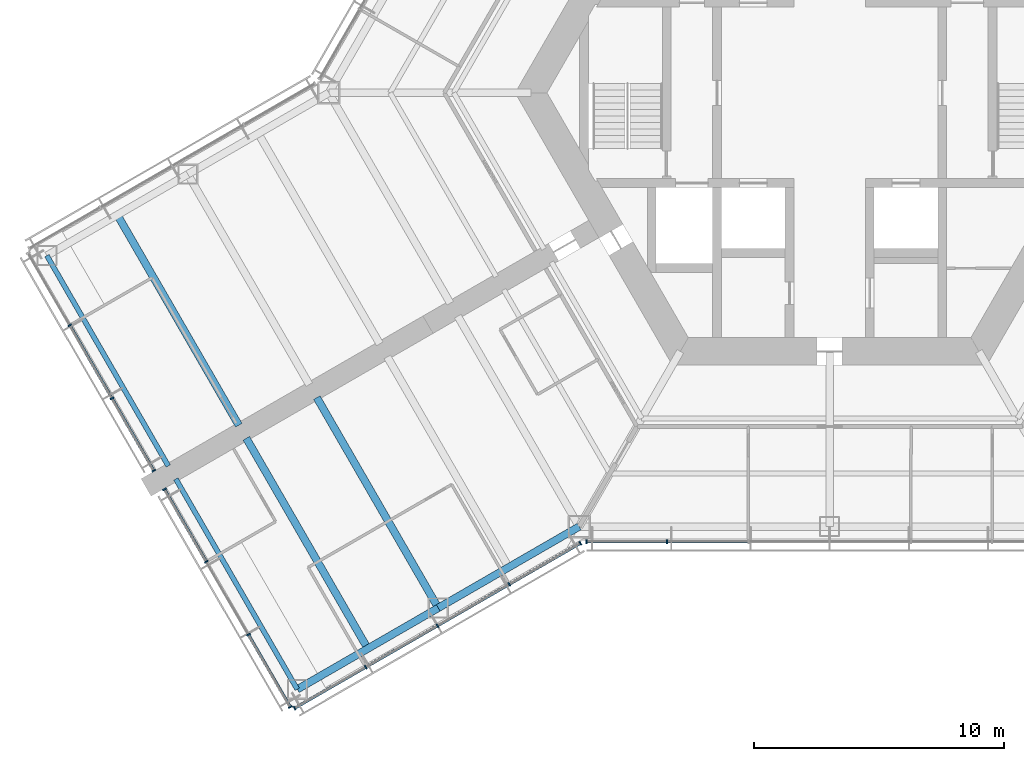
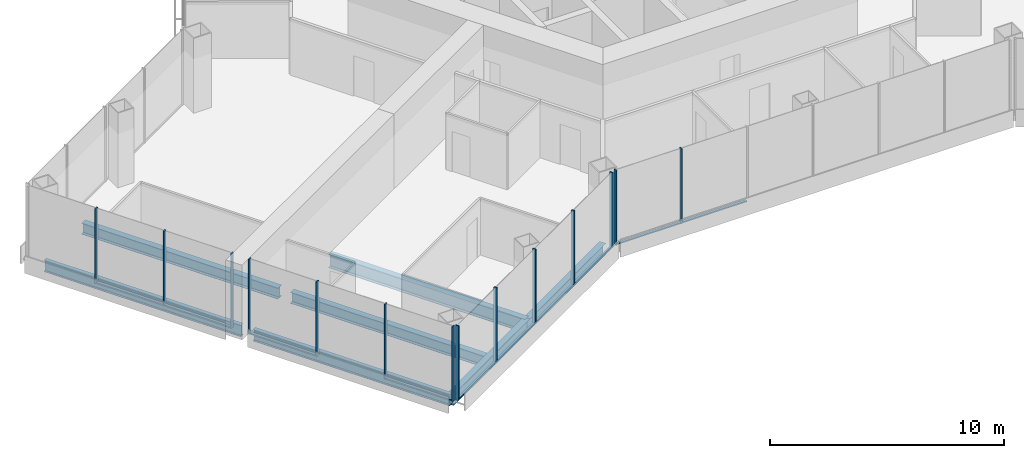
# One storey, part 2 of 19: 24 members, 7 beams, 4 elements without a shape of their own.
"""IFC4 building model written with IfcOpenShell, lengths in metres."""

import ifcopenshell
import ifcopenshell.guid

model = None  # the IFC model being written
_history = None  # IfcOwnerHistory: only IFC2X3 demands one
_inside = {}  # id of a spatial element -> (the spatial element, [elements in it])
_under = {}  # id of a project, library or spatial element -> (it, [spatial elements below it])
_declared = {}  # id of a project -> (the project, [libraries it declares])
_typed = {}  # id of a type object -> (the type object, [elements of that type])
_made_of = {}  # id of a material, layer set ... -> (it, [elements and type objects made of it])


def new_model(schema):
    """Start an empty IFC model of exactly this schema.

    Asked for "IFC4X3", IfcOpenShell would pick the latest addendum, in which some entities
    have other attributes; the version numbers below select the first issue.
    IFC2X3 requires an IfcOwnerHistory on every rooted entity: one is made here for all.
    """
    global model, _history
    if schema == "IFC4X3":
        model = ifcopenshell.file(schema_version=(4, 3, 0, 0))
    else:
        model = ifcopenshell.file(schema=schema)
    _inside.clear()
    _under.clear()
    _declared.clear()
    _typed.clear()
    _made_of.clear()
    _history = None
    if model.schema == "IFC2X3":
        org = make("IfcOrganization", Name="unknown")
        user = make(
            "IfcPersonAndOrganization",
            ThePerson=make("IfcPerson", FamilyName="unknown"),
            TheOrganization=org,
        )
        app = make(
            "IfcApplication",
            ApplicationDeveloper=org,
            Version="unknown",
            ApplicationFullName="unknown",
            ApplicationIdentifier="unknown",
        )
        _history = make(
            "IfcOwnerHistory",
            OwningUser=user,
            OwningApplication=app,
            ChangeAction="ADDED",
            CreationDate=0,
        )
    return model


def make(cls, **values):
    """One entity of the class cls with the attributes given. An attribute that is None is left unset."""
    return model.create_entity(
        cls, **{name: value for name, value in values.items() if value is not None}
    )


def rooted(cls, **values):
    """An entity with a GlobalId (a new one), such as an element, a storey or a relation."""
    return make(cls, GlobalId=ifcopenshell.guid.new(), OwnerHistory=_history, **values)


def si_unit(unit_type, name, prefix=None):
    """IfcSIUnit, for example si_unit("LENGTHUNIT", "METRE", prefix="MILLI")."""
    return make("IfcSIUnit", UnitType=unit_type, Prefix=prefix, Name=name)


def assignment(units):
    """IfcUnitAssignment: the units of a project."""
    return None if units is None else make("IfcUnitAssignment", Units=units)


def point(xyz):
    """IfcCartesianPoint."""
    return None if xyz is None else make("IfcCartesianPoint", Coordinates=xyz)


def direction(xyz):
    """IfcDirection."""
    return None if xyz is None else make("IfcDirection", DirectionRatios=xyz)


def frame(location, z_axis=None, x_axis=None):
    """IfcAxis2Placement3D, a coordinate frame: its origin and axes. An axis left out is left unset."""
    return make(
        "IfcAxis2Placement3D",
        Location=point(location),
        Axis=direction(z_axis),
        RefDirection=direction(x_axis),
    )


def frame_2d(location, x_axis=None):
    """IfcAxis2Placement2D, a coordinate frame in the plane: its origin and x axis."""
    return make(
        "IfcAxis2Placement2D", Location=point(location), RefDirection=direction(x_axis)
    )


def origin():
    """The frame at (0, 0, 0) with its axes left unset."""
    return frame((0.0, 0.0, 0.0))


def origin_2d():
    """The frame at (0, 0) in the plane with its x axis left unset."""
    return frame_2d((0.0, 0.0))


def place(relative_to, where):
    """IfcLocalPlacement: puts the frame where relative to a parent placement (None: the world)."""
    return make(
        "IfcLocalPlacement", PlacementRelTo=relative_to, RelativePlacement=where
    )


def context(
    kind, dimensions, precision=None, world=None, true_north=None, identifier=None
):
    """IfcGeometricRepresentationContext, for example the 3D "Model" context."""
    return make(
        "IfcGeometricRepresentationContext",
        ContextIdentifier=identifier,
        ContextType=kind,
        CoordinateSpaceDimension=dimensions,
        Precision=precision,
        WorldCoordinateSystem=world,
        TrueNorth=true_north,
    )


def subcontext(parent, identifier, kind, view, scale=None):
    """IfcGeometricRepresentationSubContext, for example "Body" below "Model"."""
    return make(
        "IfcGeometricRepresentationSubContext",
        ContextIdentifier=identifier,
        ContextType=kind,
        ParentContext=parent,
        TargetScale=scale,
        TargetView=view,
    )


def project(units=None, contexts=None):
    """IfcProject with its units and contexts."""
    return rooted(
        "IfcProject",
        Name="project",
        RepresentationContexts=contexts,
        UnitsInContext=assignment(units),
    )


def spatial(cls, under=None, at=None, **own):
    """A site, building, storey or space (cls), placed at a placement, below another one or the project."""
    s = rooted(cls, ObjectPlacement=at, **own)
    if under is not None:
        _under.setdefault(under.id(), (under, []))[1].append(s)
    return s


def profile(cls, at=None, kind="AREA", **sizes):
    """A parametric profile (cls). Its sizes go by their IFC names, for example OverallWidth=200.0."""
    return make(cls, ProfileType=kind, Position=at, **sizes)


def rectangle(**sizes):
    """IfcRectangleProfileDef."""
    return profile("IfcRectangleProfileDef", **sizes)


def i_section(**sizes):
    """IfcIShapeProfileDef."""
    return profile("IfcIShapeProfileDef", **sizes)


def extrude(swept, where, along, depth):
    """IfcExtrudedAreaSolid: the profile swept, set in the frame where, extruded along a direction by depth."""
    return make(
        "IfcExtrudedAreaSolid",
        SweptArea=swept,
        Position=where,
        ExtrudedDirection=direction(along),
        Depth=depth,
    )


def shape(context_of_items, identifier, shape_type, items):
    """IfcShapeRepresentation: the items that make up one representation, for example the "Body"."""
    return make(
        "IfcShapeRepresentation",
        ContextOfItems=context_of_items,
        RepresentationIdentifier=identifier,
        RepresentationType=shape_type,
        Items=items,
    )


def material(Name=None, Category=None):
    """IfcMaterial."""
    return make("IfcMaterial", Name=Name, Category=Category)


def material_profile(
    of_material, cross_section, Name=None, Category=None, Priority=None
):
    """IfcMaterialProfile: a cross section and its material."""
    return make(
        "IfcMaterialProfile",
        Name=Name,
        Material=of_material,
        Profile=cross_section,
        Priority=Priority,
        Category=Category,
    )


def profile_set(profiles, Name=None, composite=None):
    """IfcMaterialProfileSet."""
    return make(
        "IfcMaterialProfileSet",
        Name=Name,
        MaterialProfiles=profiles,
        CompositeProfile=composite,
    )


def made_of(thing, what):
    """Note that an element or type object is made of a material, layer set ...; save() writes the relation."""
    if what is not None:
        _made_of.setdefault(what.id(), (what, []))[1].append(thing)
    return thing


def type_object(cls, material=None, **own):
    """A type object (cls), such as IfcWallType, which elements share."""
    return made_of(rooted(cls, **own), material)


def element(
    cls,
    number,
    at=None,
    inside=None,
    cuts=None,
    type_object=None,
    material=None,
    context=None,
    identifier="Body",
    shape_type=None,
    held_by="IfcProductDefinitionShape",
    body=None,
    shapes=None,
    **own,
):
    """One element of the class cls, such as IfcWall. Its Tag is "e" and its number.

    at: its placement. inside: the storey or other place that contains it. cuts: it is an
    opening in that element (IfcRelVoidsElement). A single representation is given by context,
    identifier, shape_type and body (its items); several are given by shapes. held_by: the class
    of the entity that holds the representations. save() writes the other relations.
    """
    e = rooted(cls, Tag="e%d" % number, ObjectPlacement=at, **own)
    if body is not None:
        shapes = [shape(context, identifier, shape_type, body)]
    if shapes is not None:
        e.Representation = make(held_by, Representations=shapes)
    if inside is not None:
        _inside.setdefault(inside.id(), (inside, []))[1].append(e)
    if cuts is not None:
        rooted(
            "IfcRelVoidsElement", RelatingBuildingElement=cuts, RelatedOpeningElement=e
        )
    if type_object is not None:
        _typed.setdefault(type_object.id(), (type_object, []))[1].append(e)
    return made_of(e, material)


def aggregate(whole, parts):
    """IfcRelAggregates: a whole, such as a stair, and the parts it consists of."""
    return rooted("IfcRelAggregates", RelatingObject=whole, RelatedObjects=parts)


def save(model, path):
    """Write the relations noted so far, then the file.

    IfcRelAggregates (storeys below a building ...), IfcRelContainedInSpatialStructure (elements
    in a storey), IfcRelDefinesByType, IfcRelAssociatesMaterial and IfcRelDeclares: one each for
    every whole, place, type object, material and project.
    """
    for whole, parts in _under.values():
        aggregate(whole, parts)
    for where, things in _inside.values():
        rooted(
            "IfcRelContainedInSpatialStructure",
            RelatedElements=things,
            RelatingStructure=where,
        )
    for kind, things in _typed.values():
        rooted("IfcRelDefinesByType", RelatedObjects=things, RelatingType=kind)
    for what, things in _made_of.values():
        rooted("IfcRelAssociatesMaterial", RelatedObjects=things, RelatingMaterial=what)
    for by, libraries in _declared.values():
        rooted("IfcRelDeclares", RelatingContext=by, RelatedDefinitions=libraries)
    model.write(path)


model = new_model("IFC4")

# Units and contexts
model_context = context("Model", 3, precision=1e-05, world=origin(), true_north=direction((0.0, 1.0)))
body_context = subcontext(model_context, "Body", "Model", "MODEL_VIEW")
ifc_project = project(units=[si_unit("LENGTHUNIT", "METRE"), si_unit("AREAUNIT", "SQUARE_METRE"), si_unit("VOLUMEUNIT", "CUBIC_METRE"), si_unit("PLANEANGLEUNIT", "RADIAN"), si_unit("MASSUNIT", "GRAM", prefix="KILO")], contexts=[model_context])

# Site, building, storey
site_placement = place(None, origin())
site = spatial("IfcSite", under=ifc_project, at=site_placement, CompositionType="ELEMENT")
building_placement = place(site_placement, origin())
building = spatial("IfcBuilding", under=site, at=building_placement, Name="Kasaneha Research Tower", CompositionType="ELEMENT")
storey_placement = place(building_placement, frame((0.0, 0.0, 84.60009765625)))
storey = spatial("IfcBuildingStorey", under=building, at=storey_placement, Name="L21", CompositionType="ELEMENT", Elevation=84.60009765625)

# Beams
ifc_material_1 = material(Name="Steel SN490B", Category="steel")
ifc_material_profile_1 = material_profile(ifc_material_1, i_section(OverallWidth=0.300048828125, OverallDepth=0.58203125, WebThickness=0.011962890625, FlangeThickness=0.01708984375, FilletRadius=0.012939453125, at=origin_2d()), Name="H-582x300x12x17")
ifc_profile_set_1 = profile_set([ifc_material_profile_1], Name="Steel SN490B")
beam_type_1 = type_object("IfcBeamType", Name="B2-3 secondary beam H-582x300x12x17", PredefinedType="JOIST", material=ifc_profile_set_1)
for number, where, z_axis, x_axis, name in (
    (1, (-28.44384765625, -4.875, -0.441162109375), (0.500010041276, -0.866019606374, 0.0), (0.866019606374, 0.500010041276, 0.0), "Secondary beam WBBP2 L21"),
    (2, (-18.44384765625, -22.195556640625, -0.441162109375), (-0.499991164321, 0.866030505006, 0.0), (-0.866030505006, -0.499991164321, 0.0), "Secondary beam WBBN2 L21"),
):
    element("IfcBeam", number, at=place(storey_placement, frame(where, z_axis=z_axis, x_axis=x_axis)), inside=storey, type_object=beam_type_1, Name=name, PredefinedType="JOIST", context=body_context, shape_type="SweptSolid", body=[
        extrude(i_section(OverallWidth=0.300048828125, OverallDepth=0.58203125, WebThickness=0.011962890625, FlangeThickness=0.01708984375, FilletRadius=0.012939453125, at=origin_2d()), origin(), (0.0, 0.0, 1.0), 9.699951171875),
    ])

# Curtain wall, members
ifc_material_2 = material(Name="Glass and aluminium", Category="aluminium")
curtain_wall_type = type_object("IfcCurtainWallType", Name="Low-rise office curtain wall", PredefinedType="USERDEFINED", material=ifc_material_2)
curtain_wall_1_placement = place(storey_placement, origin())
curtain_wall_1 = element("IfcCurtainWall", 3, at=curtain_wall_1_placement, inside=storey, type_object=curtain_wall_type, Name="CW-O1 L21 run 01a", ObjectType="UNITISED CURTAIN WALL", PredefinedType="USERDEFINED")
ifc_material_3 = material(Name="Aluminium 6063-T6", Category="aluminium")
ifc_material_profile_2 = material_profile(ifc_material_3, rectangle(XDim=0.06005859375, YDim=0.159912109375, at=origin_2d()), Name="CW-O1 mullion 60x160")
ifc_profile_set_2 = profile_set([ifc_material_profile_2], Name="Aluminium 6063-T6")
member_type_1 = type_object("IfcMemberType", Name="CW-O1 mullion", PredefinedType="MULLION", material=ifc_profile_set_2)
member_1_placement = place(storey_placement, frame((-21.365478515625, -24.5751953125, 0.0), z_axis=(0.0, 0.0, 1.0), x_axis=(0.866025411464, 0.499999986699, 0.0)))
member_1 = element("IfcMember", 4, at=member_1_placement, type_object=member_type_1, Name="CW-O1 mullion 1", PredefinedType="MULLION", context=body_context, shape_type="SweptSolid", body=[
    extrude(rectangle(XDim=0.06005859375, YDim=0.159912109375, at=origin_2d()), origin(), (0.0, 0.0, 1.0), 3.89990234375),
])
member_2_placement = place(storey_placement, frame((-18.52490234375, -22.935302734375, 0.0), z_axis=(0.0, 0.0, 1.0), x_axis=(0.866025411464, 0.499999986699, 0.0)))
member_2 = element("IfcMember", 5, at=member_2_placement, type_object=member_type_1, Name="CW-O1 mullion 2", PredefinedType="MULLION", context=body_context, shape_type="SweptSolid", body=[
    extrude(rectangle(XDim=0.06005859375, YDim=0.159912109375, at=origin_2d()), origin(), (0.0, 0.0, 1.0), 3.89990234375),
])
member_3_placement = place(storey_placement, frame((-15.65869140625, -21.2802734375, 0.0), z_axis=(0.0, 0.0, 1.0), x_axis=(0.866025411464, 0.499999986699, 0.0)))
member_3 = element("IfcMember", 6, at=member_3_placement, type_object=member_type_1, Name="CW-O1 mullion 3", PredefinedType="MULLION", context=body_context, shape_type="SweptSolid", body=[
    extrude(rectangle(XDim=0.06005859375, YDim=0.159912109375, at=origin_2d()), origin(), (0.0, 0.0, 1.0), 3.89990234375),
])
member_4_placement = place(storey_placement, frame((-12.792236328125, -19.62548828125, 0.0), z_axis=(0.0, 0.0, 1.0), x_axis=(0.866025411464, 0.499999986699, 0.0)))
member_4 = element("IfcMember", 7, at=member_4_placement, type_object=member_type_1, Name="CW-O1 mullion 4", PredefinedType="MULLION", context=body_context, shape_type="SweptSolid", body=[
    extrude(rectangle(XDim=0.06005859375, YDim=0.159912109375, at=origin_2d()), origin(), (0.0, 0.0, 1.0), 3.89990234375),
])
member_5_placement = place(storey_placement, frame((-9.951904296875, -17.985595703125, 0.0), z_axis=(0.0, 0.0, 1.0), x_axis=(0.866025411464, 0.499999986699, 0.0)))
member_5 = element("IfcMember", 8, at=member_5_placement, type_object=member_type_1, Name="CW-O1 mullion 5", PredefinedType="MULLION", context=body_context, shape_type="SweptSolid", body=[
    extrude(rectangle(XDim=0.06005859375, YDim=0.159912109375, at=origin_2d()), origin(), (0.0, 0.0, 1.0), 3.89990234375),
])

curtain_wall_2_placement = place(storey_placement, origin())
curtain_wall_2 = element("IfcCurtainWall", 9, at=curtain_wall_2_placement, inside=storey, type_object=curtain_wall_type, Name="CW-O1 L21 run 02a", ObjectType="UNITISED CURTAIN WALL", PredefinedType="USERDEFINED")
member_6_placement = place(storey_placement, frame((-9.709228515625, -17.92041015625, 0.0), z_axis=(0.0, 0.0, 1.0), x_axis=(1.0, 0.0, 0.0)))
member_6 = element("IfcMember", 10, at=member_6_placement, type_object=member_type_1, Name="CW-O1 mullion 1", PredefinedType="MULLION", context=body_context, shape_type="SweptSolid", body=[
    extrude(rectangle(XDim=0.06005859375, YDim=0.159912109375, at=origin_2d()), origin(), (0.0, 0.0, 1.0), 3.89990234375),
])
member_7_placement = place(storey_placement, frame((-6.492919921875, -17.92041015625, 0.0), z_axis=(0.0, 0.0, 1.0), x_axis=(1.0, 0.0, 0.0)))
member_7 = element("IfcMember", 11, at=member_7_placement, type_object=member_type_1, Name="CW-O1 mullion 2", PredefinedType="MULLION", context=body_context, shape_type="SweptSolid", body=[
    extrude(rectangle(XDim=0.06005859375, YDim=0.159912109375, at=origin_2d()), origin(), (0.0, 0.0, 1.0), 3.89990234375),
])

curtain_wall_3_placement = place(storey_placement, origin())
curtain_wall_3 = element("IfcCurtainWall", 12, at=curtain_wall_3_placement, inside=storey, type_object=curtain_wall_type, Name="CW-O1 L21 run 14a", ObjectType="UNITISED CURTAIN WALL", PredefinedType="USERDEFINED")
member_8_placement = place(storey_placement, frame((-30.3447265625, -9.28271484375, 0.0), z_axis=(0.0, 0.0, 1.0), x_axis=(0.500000011442, -0.866025397178, 0.0)))
member_8 = element("IfcMember", 13, at=member_8_placement, type_object=member_type_1, Name="CW-O1 mullion 2", PredefinedType="MULLION", context=body_context, shape_type="SweptSolid", body=[
    extrude(rectangle(XDim=0.06005859375, YDim=0.159912109375, at=origin_2d()), origin(), (0.0, 0.0, 1.0), 3.89990234375),
])
member_9_placement = place(storey_placement, frame((-28.661376953125, -12.1982421875, 0.0), z_axis=(0.0, 0.0, 1.0), x_axis=(0.500000011442, -0.866025397178, 0.0)))
member_9 = element("IfcMember", 14, at=member_9_placement, type_object=member_type_1, Name="CW-O1 mullion 3", PredefinedType="MULLION", context=body_context, shape_type="SweptSolid", body=[
    extrude(rectangle(XDim=0.06005859375, YDim=0.159912109375, at=origin_2d()), origin(), (0.0, 0.0, 1.0), 3.89990234375),
])
member_10_placement = place(storey_placement, frame((-26.992919921875, -15.087890625, 0.0), z_axis=(0.0, 0.0, 1.0), x_axis=(0.500000011442, -0.866025397178, 0.0)))
member_10 = element("IfcMember", 15, at=member_10_placement, type_object=member_type_1, Name="CW-O1 mullion 4", PredefinedType="MULLION", context=body_context, shape_type="SweptSolid", body=[
    extrude(rectangle(XDim=0.06005859375, YDim=0.159912109375, at=origin_2d()), origin(), (0.0, 0.0, 1.0), 3.89990234375),
])

curtain_wall_4_placement = place(storey_placement, origin())
curtain_wall_4 = element("IfcCurtainWall", 16, at=curtain_wall_4_placement, inside=storey, type_object=curtain_wall_type, Name="CW-O1 L21 run 15a", ObjectType="UNITISED CURTAIN WALL", PredefinedType="USERDEFINED")
member_11_placement = place(storey_placement, frame((-26.56298828125, -15.832763671875, 0.0), z_axis=(0.0, 0.0, 1.0), x_axis=(0.500000011442, -0.866025397178, 0.0)))
member_11 = element("IfcMember", 17, at=member_11_placement, type_object=member_type_1, Name="CW-O1 mullion 1", PredefinedType="MULLION", context=body_context, shape_type="SweptSolid", body=[
    extrude(rectangle(XDim=0.06005859375, YDim=0.159912109375, at=origin_2d()), origin(), (0.0, 0.0, 1.0), 3.89990234375),
])
member_12_placement = place(storey_placement, frame((-24.89453125, -18.72216796875, 0.0), z_axis=(0.0, 0.0, 1.0), x_axis=(0.500000011442, -0.866025397178, 0.0)))
member_12 = element("IfcMember", 18, at=member_12_placement, type_object=member_type_1, Name="CW-O1 mullion 2", PredefinedType="MULLION", context=body_context, shape_type="SweptSolid", body=[
    extrude(rectangle(XDim=0.06005859375, YDim=0.159912109375, at=origin_2d()), origin(), (0.0, 0.0, 1.0), 3.89990234375),
])
member_13_placement = place(storey_placement, frame((-23.211181640625, -21.637939453125, 0.0), z_axis=(0.0, 0.0, 1.0), x_axis=(0.500000011442, -0.866025397178, 0.0)))
member_13 = element("IfcMember", 19, at=member_13_placement, type_object=member_type_1, Name="CW-O1 mullion 3", PredefinedType="MULLION", context=body_context, shape_type="SweptSolid", body=[
    extrude(rectangle(XDim=0.06005859375, YDim=0.159912109375, at=origin_2d()), origin(), (0.0, 0.0, 1.0), 3.89990234375),
])
member_14_placement = place(storey_placement, frame((-21.54296875, -24.527587890625, 0.0), z_axis=(0.0, 0.0, 1.0), x_axis=(0.500000011442, -0.866025397178, 0.0)))
member_14 = element("IfcMember", 20, at=member_14_placement, type_object=member_type_1, Name="CW-O1 mullion 4", PredefinedType="MULLION", context=body_context, shape_type="SweptSolid", body=[
    extrude(rectangle(XDim=0.06005859375, YDim=0.159912109375, at=origin_2d()), origin(), (0.0, 0.0, 1.0), 3.89990234375),
])

# Member
ifc_material_4 = material(Name="Aluminium 6063-T6", Category="aluminium")
ifc_material_profile_3 = material_profile(ifc_material_4, rectangle(XDim=0.1201171875, YDim=0.06005859375, at=origin_2d()), Name="CW-O1 transom 120x60")
ifc_profile_set_3 = profile_set([ifc_material_profile_3], Name="Aluminium 6063-T6")
member_type_2 = type_object("IfcMemberType", Name="CW-O1 transom", PredefinedType="USERDEFINED", material=ifc_profile_set_3)
member_15_placement = place(storey_placement, frame((-21.33935546875, -24.56005859375, 0.02978515625), z_axis=(0.866022692473, 0.500004696101, 0.0), x_axis=(-0.500004696101, 0.866022692473, 0.0)))
member_15 = element("IfcMember", 21, at=member_15_placement, type_object=member_type_2, Name="CW-O1 transom 1", ObjectType="TRANSOM", PredefinedType="USERDEFINED", context=body_context, shape_type="SweptSolid", body=[
    extrude(rectangle(XDim=0.1201171875, YDim=0.06005859375, at=origin_2d()), origin(), (0.0, 0.0, 1.0), 3.2197265625),
])

member_16_placement = place(storey_placement, frame((-18.4990234375, -22.920166015625, 0.02978515625), z_axis=(0.86604797581, 0.499960902066, 0.0), x_axis=(-0.499960902066, 0.86604797581, 0.0)))
member_16 = element("IfcMember", 22, at=member_16_placement, type_object=member_type_2, Name="CW-O1 transom 2", ObjectType="TRANSOM", PredefinedType="USERDEFINED", context=body_context, shape_type="SweptSolid", body=[
    extrude(rectangle(XDim=0.1201171875, YDim=0.06005859375, at=origin_2d()), origin(), (0.0, 0.0, 1.0), 3.249755859375),
])

member_17_placement = place(storey_placement, frame((-15.632568359375, -21.265380859375, 0.02978515625), z_axis=(0.866015446554, 0.500017246033, 0.0), x_axis=(-0.500017246033, 0.866015446554, 0.0)))
member_17 = element("IfcMember", 23, at=member_17_placement, type_object=member_type_2, Name="CW-O1 transom 3", ObjectType="TRANSOM", PredefinedType="USERDEFINED", context=body_context, shape_type="SweptSolid", body=[
    extrude(rectangle(XDim=0.1201171875, YDim=0.06005859375, at=origin_2d()), origin(), (0.0, 0.0, 1.0), 3.25),
])

member_18_placement = place(storey_placement, frame((-12.76611328125, -19.6103515625, 0.02978515625), z_axis=(0.866022692473, 0.500004696101, 0.0), x_axis=(-0.500004696101, 0.866022692473, 0.0)))
member_18 = element("IfcMember", 24, at=member_18_placement, type_object=member_type_2, Name="CW-O1 transom 4", ObjectType="TRANSOM", PredefinedType="USERDEFINED", context=body_context, shape_type="SweptSolid", body=[
    extrude(rectangle(XDim=0.1201171875, YDim=0.06005859375, at=origin_2d()), origin(), (0.0, 0.0, 1.0), 3.2197265625),
])

aggregate(curtain_wall_1, [member_1, member_2, member_3, member_4, member_5, member_15, member_16, member_17, member_18])

member_19_placement = place(storey_placement, frame((-9.67919921875, -17.92041015625, 0.02978515625), z_axis=(1.0, 0.0, 0.0), x_axis=(0.0, 1.0, 0.0)))
member_19 = element("IfcMember", 25, at=member_19_placement, type_object=member_type_2, Name="CW-O1 transom 1", ObjectType="TRANSOM", PredefinedType="USERDEFINED", context=body_context, shape_type="SweptSolid", body=[
    extrude(rectangle(XDim=0.1201171875, YDim=0.06005859375, at=origin_2d()), origin(), (0.0, 0.0, 1.0), 3.156494140625),
])

member_20_placement = place(storey_placement, frame((-6.462890625, -17.92041015625, 0.02978515625), z_axis=(1.0, 0.0, 0.0), x_axis=(0.0, 1.0, 0.0)))
member_20 = element("IfcMember", 26, at=member_20_placement, type_object=member_type_2, Name="CW-O1 transom 2", ObjectType="TRANSOM", PredefinedType="USERDEFINED", context=body_context, shape_type="SweptSolid", body=[
    extrude(rectangle(XDim=0.1201171875, YDim=0.06005859375, at=origin_2d()), origin(), (0.0, 0.0, 1.0), 3.1865234375),
])

aggregate(curtain_wall_2, [member_6, member_7, member_19, member_20])

member_21_placement = place(storey_placement, frame((-30.32958984375, -9.30859375, 0.02978515625), z_axis=(0.499982354831, -0.866035590988, 0.0), x_axis=(0.866035590988, 0.499982354831, 0.0)))
member_21 = element("IfcMember", 27, at=member_21_placement, type_object=member_type_2, Name="CW-O1 transom 2", ObjectType="TRANSOM", PredefinedType="USERDEFINED", context=body_context, shape_type="SweptSolid", body=[
    extrude(rectangle(XDim=0.1201171875, YDim=0.06005859375, at=origin_2d()), origin(), (0.0, 0.0, 1.0), 3.306640625),
])

member_22_placement = place(storey_placement, frame((-28.646240234375, -12.22412109375, 0.02978515625), z_axis=(0.499969700927, -0.866042896256, 0.0), x_axis=(0.866042896256, 0.499969700927, 0.0)))
member_22 = element("IfcMember", 28, at=member_22_placement, type_object=member_type_2, Name="CW-O1 transom 3", ObjectType="TRANSOM", PredefinedType="USERDEFINED", context=body_context, shape_type="SweptSolid", body=[
    extrude(rectangle(XDim=0.1201171875, YDim=0.06005859375, at=origin_2d()), origin(), (0.0, 0.0, 1.0), 3.276611328125),
])

aggregate(curtain_wall_3, [member_8, member_9, member_10, member_21, member_22])

member_23_placement = place(storey_placement, frame((-26.5478515625, -15.858642578125, 0.02978515625), z_axis=(0.499969700927, -0.866042896256, 0.0), x_axis=(0.866042896256, 0.499969700927, 0.0)))
member_23 = element("IfcMember", 29, at=member_23_placement, type_object=member_type_2, Name="CW-O1 transom 1", ObjectType="TRANSOM", PredefinedType="USERDEFINED", context=body_context, shape_type="SweptSolid", body=[
    extrude(rectangle(XDim=0.1201171875, YDim=0.06005859375, at=origin_2d()), origin(), (0.0, 0.0, 1.0), 3.276611328125),
])

member_24_placement = place(storey_placement, frame((-23.1962890625, -21.663818359375, 0.02978515625), z_axis=(0.500025583411, -0.866010632691, 0.0), x_axis=(0.866010632691, 0.500025583411, 0.0)))
member_24 = element("IfcMember", 30, at=member_24_placement, type_object=member_type_2, Name="CW-O1 transom 3", ObjectType="TRANSOM", PredefinedType="USERDEFINED", context=body_context, shape_type="SweptSolid", body=[
    extrude(rectangle(XDim=0.1201171875, YDim=0.06005859375, at=origin_2d()), origin(), (0.0, 0.0, 1.0), 3.276611328125),
])

aggregate(curtain_wall_4, [member_11, member_12, member_13, member_14, member_23, member_24])

# Beams
ifc_material_5 = material(Name="Steel SN490B", Category="steel")
ifc_material_profile_4 = material_profile(ifc_material_5, i_section(OverallWidth=0.300048828125, OverallDepth=0.699951171875, WebThickness=0.012939453125, FlangeThickness=0.02392578125, FilletRadius=0.01806640625, at=origin_2d()), Name="H-700x300x13x24")
ifc_profile_set_4 = profile_set([ifc_material_profile_4], Name="Steel SN490B")
beam_type_2 = type_object("IfcBeamType", Name="G4-3 wing girder H-700x300x13x24", PredefinedType="BEAM", material=ifc_profile_set_4)
beam_placement = place(storey_placement, frame((-15.629150390625, -20.570556640625, -0.5), z_axis=(-0.500010041276, 0.866019606374, 0.0), x_axis=(-0.866019606374, -0.500010041276, 0.0)))
element("IfcBeam", 31, at=beam_placement, inside=storey, type_object=beam_type_2, Name="Wing girder WGBN L21", PredefinedType="BEAM", context=body_context, shape_type="SweptSolid", body=[
    extrude(i_section(OverallWidth=0.300048828125, OverallDepth=0.699951171875, WebThickness=0.012939453125, FlangeThickness=0.02392578125, FilletRadius=0.01806640625, at=origin_2d()), origin(), (0.0, 0.0, 1.0), 9.699951171875),
])
ifc_material_6 = material(Name="Steel SN490B", Category="steel")
ifc_material_profile_5 = material_profile(ifc_material_6, i_section(OverallWidth=0.300048828125, OverallDepth=0.58203125, WebThickness=0.011962890625, FlangeThickness=0.01708984375, FilletRadius=0.012939453125, at=origin_2d()), Name="H-582x300x12x17")
ifc_profile_set_5 = profile_set([ifc_material_profile_5], Name="Steel SN490B")
beam_type_3 = type_object("IfcBeamType", Name="SB2-3 spandrel beam H-582x300x12x17", PredefinedType="SPANDREL", material=ifc_profile_set_5)
for number, where, z_axis, x_axis, name in (
    (32, (-10.0, -17.320556640625, -0.441162109375), (-0.866024837091, -0.50000098154, 0.0), (0.50000098154, -0.866024837091, 0.0), "Spandrel beam WSBN1 L21"),
    (33, (-15.629150390625, -20.570556640625, -0.441162109375), (-0.866024837091, -0.50000098154, 0.0), (0.50000098154, -0.866024837091, 0.0), "Spandrel beam WSBN2 L21"),
):
    element("IfcBeam", number, at=place(storey_placement, frame(where, z_axis=z_axis, x_axis=x_axis)), inside=storey, type_object=beam_type_3, Name=name, PredefinedType="SPANDREL", context=body_context, shape_type="SweptSolid", body=[
        extrude(i_section(OverallWidth=0.300048828125, OverallDepth=0.58203125, WebThickness=0.011962890625, FlangeThickness=0.01708984375, FilletRadius=0.012939453125, at=origin_2d()), origin(), (0.0, 0.0, 1.0), 6.5),
    ])
ifc_material_7 = material(Name="Steel SN490B", Category="steel")
ifc_material_profile_6 = material_profile(ifc_material_7, i_section(OverallWidth=0.199951171875, OverallDepth=0.60009765625, WebThickness=0.010986328125, FlangeThickness=0.01708984375, FilletRadius=0.012939453125, at=origin_2d()), Name="H-600x200x11x17")
ifc_profile_set_6 = profile_set([ifc_material_profile_6], Name="Steel SN490B")
beam_type_4 = type_object("IfcBeamType", Name="SB3-3 spandrel beam H-600x200x11x17", PredefinedType="SPANDREL", material=ifc_profile_set_6)
for number, where, z_axis, x_axis, name in (
    (34, (-31.25830078125, -6.5, -0.4501953125), (0.499991164321, -0.866030505006, 0.0), (0.866030505006, 0.499991164321, 0.0), "Spandrel beam WTBP L21"),
    (35, (-21.25830078125, -23.820556640625, -0.4501953125), (-0.500010041276, 0.866019606374, 0.0), (-0.866019606374, -0.500010041276, 0.0), "Spandrel beam WTBN L21"),
):
    element("IfcBeam", number, at=place(storey_placement, frame(where, z_axis=z_axis, x_axis=x_axis)), inside=storey, type_object=beam_type_4, Name=name, PredefinedType="SPANDREL", context=body_context, shape_type="SweptSolid", body=[
        extrude(i_section(OverallWidth=0.199951171875, OverallDepth=0.60009765625, WebThickness=0.010986328125, FlangeThickness=0.01708984375, FilletRadius=0.012939453125, at=origin_2d()), origin(), (0.0, 0.0, 1.0), 9.699951171875),
    ])

save(model, "model.ifc")
